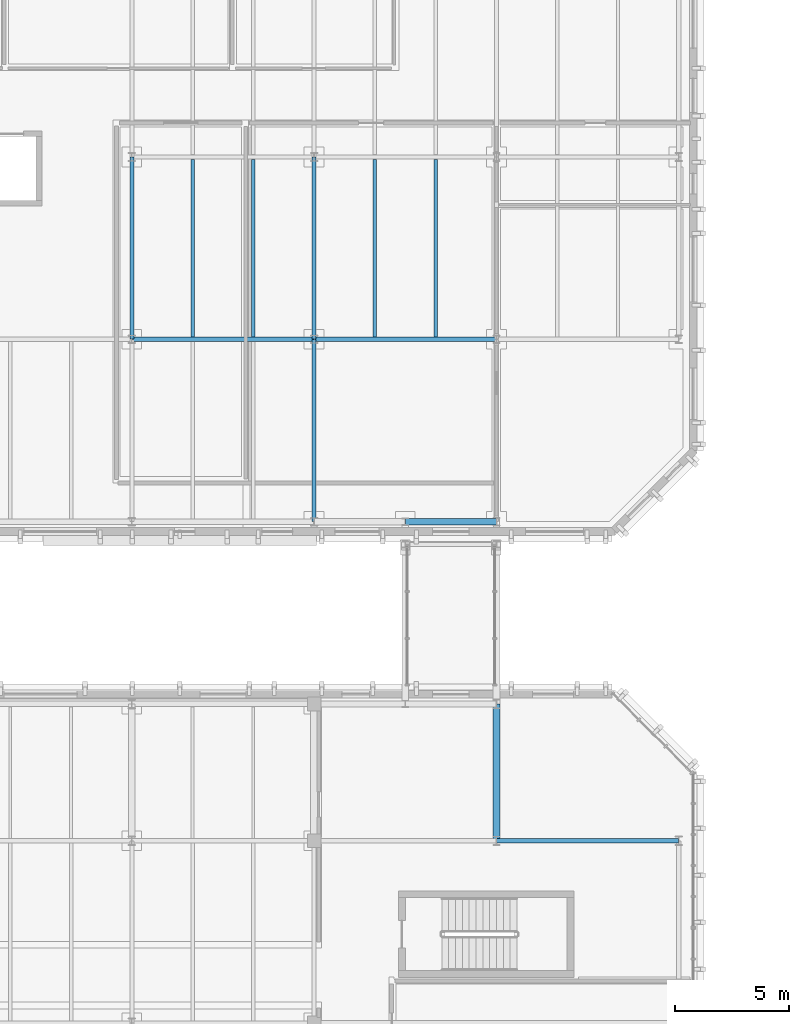
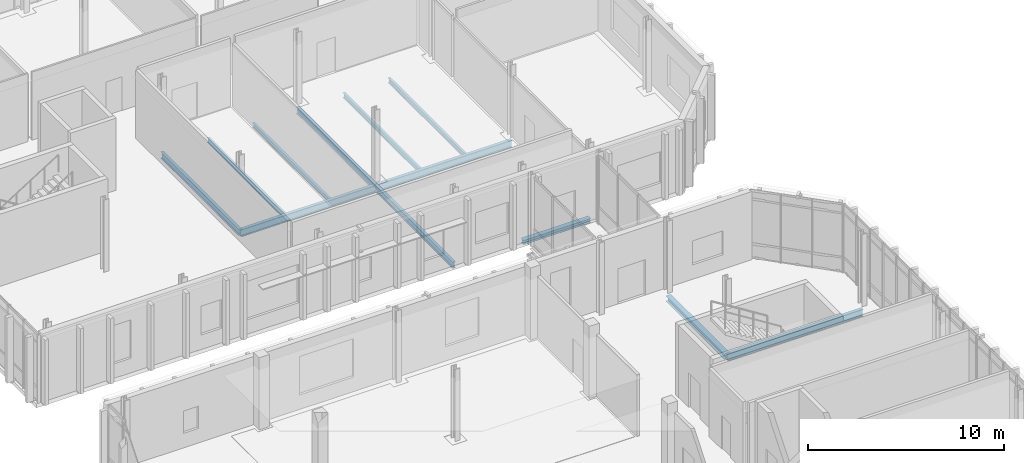
# One storey, part 38 of 100: 12 beams.
"""IFC4 building model written with IfcOpenShell, lengths in metres."""

from ifc_helpers import new_model, si_unit, direction, frame, origin, origin_2d, place, context, subcontext, project, spatial, i_section, extrude, material, material_profile, profile_set, type_object, element, save


model = new_model("IFC4")

# Units and contexts
model_context = context("Model", 3, precision=1e-05, world=origin(), true_north=direction((0.0, 1.0)))
body_context = subcontext(model_context, "Body", "Model", "MODEL_VIEW")
ifc_project = project(units=[si_unit("LENGTHUNIT", "METRE"), si_unit("AREAUNIT", "SQUARE_METRE"), si_unit("VOLUMEUNIT", "CUBIC_METRE"), si_unit("PLANEANGLEUNIT", "RADIAN"), si_unit("MASSUNIT", "GRAM", prefix="KILO")], contexts=[model_context])

# Site, building, storey
site_placement = place(None, origin())
site = spatial("IfcSite", under=ifc_project, at=site_placement, CompositionType="ELEMENT")
building_placement = place(site_placement, origin())
building = spatial("IfcBuilding", under=site, at=building_placement, Name="Cymarion Research Institute", CompositionType="ELEMENT")
storey_placement = place(building_placement, frame((0.0, 0.0, 9.300048828125)))
storey = spatial("IfcBuildingStorey", under=building, at=storey_placement, Name="L02", CompositionType="ELEMENT", Elevation=9.300048828125)

# Beams
ifc_material = material(Name="Steel S355", Category="steel")
ifc_material_profile_1 = material_profile(ifc_material, i_section(OverallWidth=0.18994140625, OverallDepth=0.449951171875, WebThickness=0.009521484375, FlangeThickness=0.0146484375, FilletRadius=0.02099609375, at=origin_2d()), Name="IPE 450")
ifc_profile_set_1 = profile_set([ifc_material_profile_1], Name="Steel S355")
beam_type_1 = type_object("IfcBeamType", Name="PRIMARY GIRDER BM04 IPE 450", PredefinedType="BEAM", material=ifc_profile_set_1)
for number, where, z_axis, x_axis, name in (
    (1, (38.60595703125, 71.5, -0.47509765625), (1.0, 0.0, 0.0), (0.0, 1.0, 0.0), "L02 V4 girder BM04 #1047"),
    (2, (22.60595703125, 93.5, -0.47509765625), (1.0, 0.0, 0.0), (0.0, 1.0, 0.0), "L02 V5 girder BM04 #1106"),
    (3, (30.60595703125, 93.5, -0.47509765625), (1.0, 0.0, 0.0), (0.0, 1.0, 0.0), "L02 V5 girder BM04 #1107"),
):
    element("IfcBeam", number, at=place(storey_placement, frame(where, z_axis=z_axis, x_axis=x_axis)), inside=storey, type_object=beam_type_1, Name=name, PredefinedType="BEAM", context=body_context, shape_type="SweptSolid", body=[
        extrude(i_section(OverallWidth=0.18994140625, OverallDepth=0.449951171875, WebThickness=0.009521484375, FlangeThickness=0.0146484375, FilletRadius=0.02099609375, at=origin_2d()), origin(), (0.0, 0.0, 1.0), 7.988037109375),
    ])
ifc_material_profile_2 = material_profile(ifc_material, i_section(OverallWidth=0.179931640625, OverallDepth=0.39990234375, WebThickness=0.008544921875, FlangeThickness=0.013427734375, FilletRadius=0.02099609375, at=origin_2d()), Name="IPE 400")
ifc_profile_set_2 = profile_set([ifc_material_profile_2], Name="Steel S355")
beam_type_2 = type_object("IfcBeamType", Name="PRIMARY GIRDER BM05 IPE 400", PredefinedType="BEAM", material=ifc_profile_set_2)
for number, where, z_axis, x_axis, name in (
    (4, (22.60009765625, 93.506103515625, -0.449951171875), (0.0, 1.0, 0.0), (-1.0, 0.0, 0.0), "L02 V5 girder BM05 #1129"),
    (5, (30.60009765625, 85.506103515625, -0.449951171875), (0.0, 1.0, 0.0), (-1.0, 0.0, 0.0), "L02 V5 girder BM05 #1132"),
    (6, (30.60009765625, 93.506103515625, -0.449951171875), (0.0, 1.0, 0.0), (-1.0, 0.0, 0.0), "L02 V5 girder BM05 #1133"),
):
    element("IfcBeam", number, at=place(storey_placement, frame(where, z_axis=z_axis, x_axis=x_axis)), inside=storey, type_object=beam_type_2, Name=name, PredefinedType="BEAM", context=body_context, shape_type="SweptSolid", body=[
        extrude(i_section(OverallWidth=0.179931640625, OverallDepth=0.39990234375, WebThickness=0.008544921875, FlangeThickness=0.013427734375, FilletRadius=0.02099609375, at=origin_2d()), origin(), (0.0, 0.0, 1.0), 7.98779296875),
    ])
ifc_material_profile_3 = material_profile(ifc_material, i_section(OverallWidth=0.300048828125, OverallDepth=0.35009765625, WebThickness=0.010009765625, FlangeThickness=0.017578125, FilletRadius=0.027099609375, at=origin_2d()), Name="HEA 360")
ifc_profile_set_3 = profile_set([ifc_material_profile_3], Name="Steel S355")
beam_type_3 = type_object("IfcBeamType", Name="PRIMARY GIRDER BM12 HEA 360", PredefinedType="BEAM", material=ifc_profile_set_3)
beam_1_placement = place(storey_placement, frame((38.60009765625, 71.506103515625, -0.425048828125), z_axis=(0.0, 1.0, 0.0), x_axis=(-1.0, 0.0, 0.0)))
element("IfcBeam", 7, at=beam_1_placement, inside=storey, type_object=beam_type_3, Name="L02 V4 girder BM12 #1071", PredefinedType="BEAM", context=body_context, shape_type="SweptSolid", body=[
    extrude(i_section(OverallWidth=0.300048828125, OverallDepth=0.35009765625, WebThickness=0.010009765625, FlangeThickness=0.017578125, FilletRadius=0.027099609375, at=origin_2d()), origin(), (0.0, 0.0, 1.0), 5.98779296875),
])
ifc_material_profile_4 = material_profile(ifc_material, i_section(OverallWidth=0.14990234375, OverallDepth=0.300048828125, WebThickness=0.007080078125, FlangeThickness=0.0107421875, FilletRadius=0.014892578125, at=origin_2d()), Name="IPE 300")
ifc_profile_set_4 = profile_set([ifc_material_profile_4], Name="Steel S355")
beam_type_4 = type_object("IfcBeamType", Name="SECONDARY JOIST JS02 IPE 300", PredefinedType="JOIST", material=ifc_profile_set_4)
for number, where, z_axis, x_axis, name in (
    (8, (25.2666015625, 93.59912109375, -0.400146484375), (0.0, 1.0, 0.0), (-1.0, 0.0, 0.0), "L02 V5 secondary joist JS02 #1148"),
    (9, (27.933349609375, 93.59912109375, -0.400146484375), (0.0, 1.0, 0.0), (-1.0, 0.0, 0.0), "L02 V5 secondary joist JS02 #1149"),
    (10, (33.2666015625, 93.59912109375, -0.400146484375), (0.0, 1.0, 0.0), (-1.0, 0.0, 0.0), "L02 V5 secondary joist JS02 #1150"),
    (11, (35.933349609375, 93.59912109375, -0.400146484375), (0.0, 1.0, 0.0), (-1.0, 0.0, 0.0), "L02 V5 secondary joist JS02 #1151"),
):
    element("IfcBeam", number, at=place(storey_placement, frame(where, z_axis=z_axis, x_axis=x_axis)), inside=storey, type_object=beam_type_4, Name=name, PredefinedType="JOIST", context=body_context, shape_type="SweptSolid", body=[
        extrude(i_section(OverallWidth=0.14990234375, OverallDepth=0.300048828125, WebThickness=0.007080078125, FlangeThickness=0.0107421875, FilletRadius=0.014892578125, at=origin_2d()), origin(), (0.0, 0.0, 1.0), 7.8017578125),
    ])
ifc_material_profile_5 = material_profile(ifc_material, i_section(OverallWidth=0.280029296875, OverallDepth=0.27001953125, WebThickness=0.008056640625, FlangeThickness=0.012939453125, FilletRadius=0.02392578125, at=origin_2d()), Name="HEA 280")
ifc_profile_set_5 = profile_set([ifc_material_profile_5], Name="Steel S355")
beam_type_5 = type_object("IfcBeamType", Name="SPANDREL BEAM SPB02 HEA 280", PredefinedType="SPANDREL", material=ifc_profile_set_5)
beam_2_placement = place(storey_placement, frame((34.60595703125, 85.5, -0.385009765625), z_axis=(1.0, 0.0, 0.0), x_axis=(0.0, 1.0, 0.0)))
element("IfcBeam", 12, at=beam_2_placement, inside=storey, type_object=beam_type_5, Name="L02 V5 girder SPB02 #1103", PredefinedType="SPANDREL", context=body_context, shape_type="SweptSolid", body=[
    extrude(i_section(OverallWidth=0.280029296875, OverallDepth=0.27001953125, WebThickness=0.008056640625, FlangeThickness=0.012939453125, FilletRadius=0.02392578125, at=origin_2d()), origin(), (0.0, 0.0, 1.0), 3.988037109375),
])

save(model, "model.ifc")
